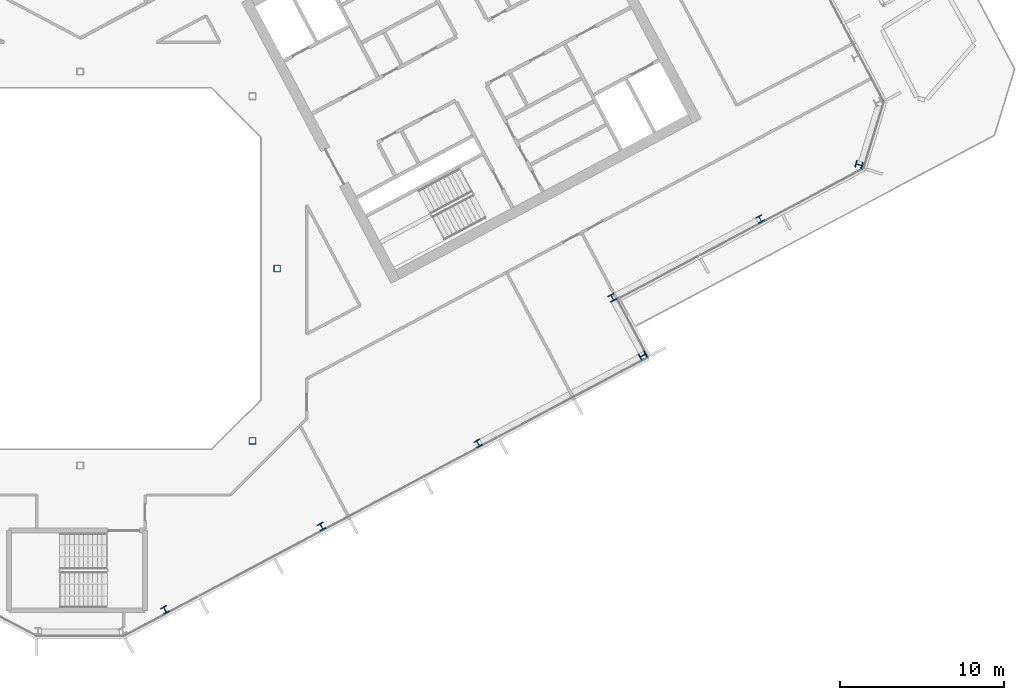
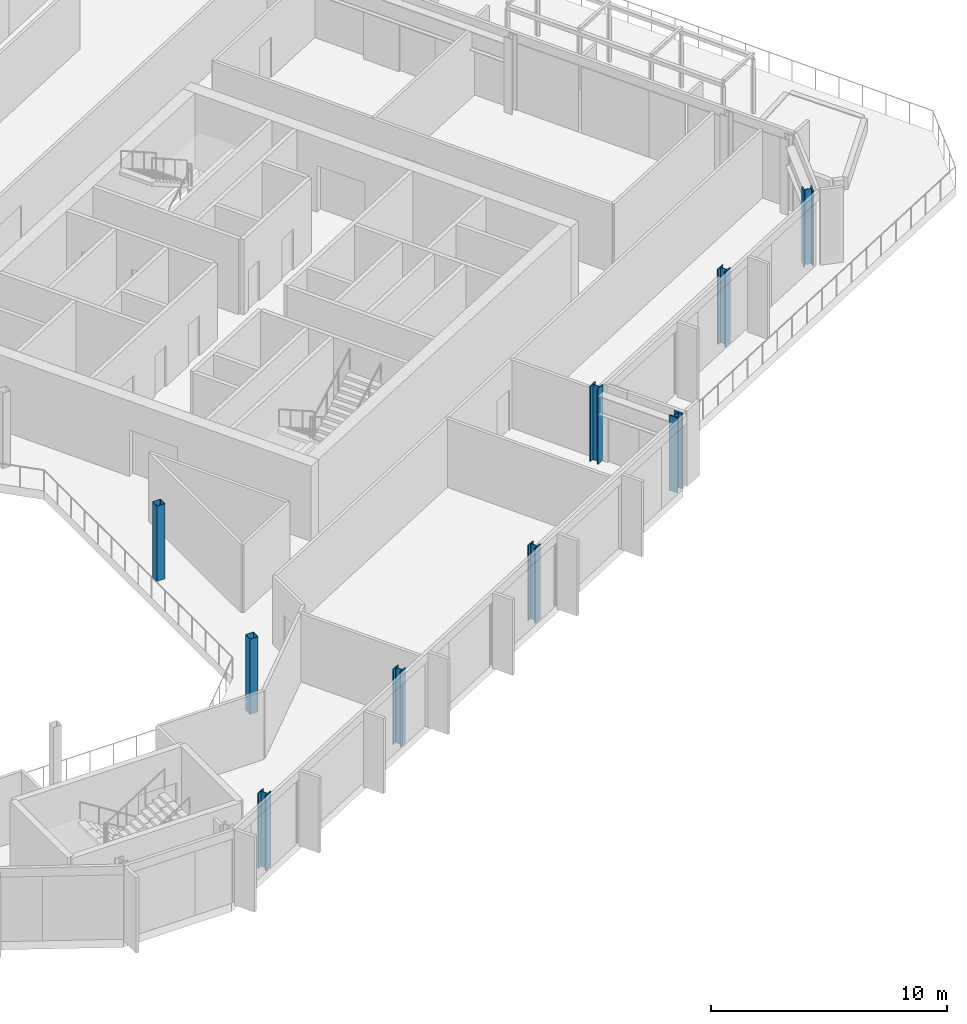
# One storey, part 5 of 31: 9 columns.
"""IFC4 building model written with IfcOpenShell, lengths in metres."""

from ifc_helpers import new_model, si_unit, direction, frame, origin, origin_2d, place, context, subcontext, project, spatial, hollow_rectangle, i_section, extrude, material, material_profile, profile_set, type_object, element, save


model = new_model("IFC4")

# Units and contexts
model_context = context("Model", 3, precision=1e-05, world=origin(), true_north=direction((0.0, 1.0)))
body_context = subcontext(model_context, "Body", "Model", "MODEL_VIEW")
ifc_project = project(units=[si_unit("LENGTHUNIT", "METRE"), si_unit("AREAUNIT", "SQUARE_METRE"), si_unit("VOLUMEUNIT", "CUBIC_METRE"), si_unit("PLANEANGLEUNIT", "RADIAN"), si_unit("MASSUNIT", "GRAM", prefix="KILO")], contexts=[model_context])

# Site, building, storey
site_placement = place(None, origin())
site = spatial("IfcSite", under=ifc_project, at=site_placement, CompositionType="ELEMENT")
building_placement = place(site_placement, origin())
building = spatial("IfcBuilding", under=site, at=building_placement, Name="Cormorant Relay Tower", CompositionType="ELEMENT")
storey_placement = place(building_placement, frame((0.0, 0.0, 189.60009765625)))
storey = spatial("IfcBuildingStorey", under=building, at=storey_placement, Name="L40", CompositionType="ELEMENT", Elevation=189.60009765625)

# Columns
ifc_material_1 = material(Name="Steel ASTM A500 Grade C (Fy 345 MPa)", Category="steel")
ifc_material_profile_1 = material_profile(ifc_material_1, hollow_rectangle(XDim=0.406494140625, YDim=0.406494140625, WallThickness=0.0146484375, InnerFilletRadius=0.00732421875, OuterFilletRadius=0.022216796875, at=origin_2d()), Name="HSS406x406x15")
ifc_profile_set_1 = profile_set([ifc_material_profile_1], Name="Steel ASTM A500 Grade C (Fy 345 MPa)")
column_type_1 = type_object("IfcColumnType", Name="Column HSS406x406x15", PredefinedType="COLUMN", material=ifc_profile_set_1)
for number, where, z_axis, x_axis, name in (
    (1, (10.5, -10.5, 0.0), (0.0, 0.0, 1.0), (1.0, 0.0, 0.0), "Column L40-010"),
    (2, (12.0, 0.0, 0.0), (0.0, 0.0, 1.0), (1.0, 0.0, 0.0), "Column L40-016"),
):
    element("IfcColumn", number, at=place(storey_placement, frame(where, z_axis=z_axis, x_axis=x_axis)), inside=storey, type_object=column_type_1, Name=name, PredefinedType="COLUMN", context=body_context, shape_type="SweptSolid", body=[
        extrude(hollow_rectangle(XDim=0.406494140625, YDim=0.406494140625, WallThickness=0.0146484375, InnerFilletRadius=0.00732421875, OuterFilletRadius=0.022216796875, at=origin_2d()), origin(), (0.0, 0.0, 1.0), 3.89990234375),
    ])
ifc_material_2 = material(Name="Steel ASTM A992 (Fy 345 MPa)", Category="steel")
ifc_material_profile_2 = material_profile(ifc_material_2, i_section(OverallWidth=0.40380859375, OverallDepth=0.406494140625, WebThickness=0.027099609375, FlangeThickness=0.043701171875, FilletRadius=0.01513671875, at=origin_2d()), Name="W360x347")
ifc_profile_set_2 = profile_set([ifc_material_profile_2], Name="Steel ASTM A992 (Fy 345 MPa)")
column_type_2 = type_object("IfcColumnType", Name="Column W360x347", PredefinedType="COLUMN", material=ifc_profile_set_2)
for number, where, z_axis, x_axis, name in (
    (3, (5.1689453125, -20.798095703125, 0.0), (0.0, 0.0, 1.0), (0.882947592859, 0.469471562786, 0.0), "Column L40-003"),
    (4, (14.705078125, -15.72705078125, 0.0), (0.0, 0.0, 1.0), (0.882947592859, 0.469471562786, 0.0), "Column L40-005"),
    (5, (24.240966796875, -10.656982421875, 0.0), (0.0, 0.0, 1.0), (0.882947592859, 0.469471562786, 0.0), "Column L40-008"),
    (6, (41.43408203125, 3.014892578125, 0.0), (0.0, 0.0, 1.0), (0.882947592859, 0.469471562786, 0.0), "Column L40-019"),
):
    element("IfcColumn", number, at=place(storey_placement, frame(where, z_axis=z_axis, x_axis=x_axis)), inside=storey, type_object=column_type_2, Name=name, PredefinedType="COLUMN", context=body_context, shape_type="SweptSolid", body=[
        extrude(i_section(OverallWidth=0.40380859375, OverallDepth=0.406494140625, WebThickness=0.027099609375, FlangeThickness=0.043701171875, FilletRadius=0.01513671875, at=origin_2d()), origin(), (0.0, 0.0, 1.0), 3.89990234375),
    ])
ifc_material_3 = material(Name="Steel ASTM A992 (Fy 345 MPa)", Category="steel")
ifc_material_profile_3 = material_profile(ifc_material_3, i_section(OverallWidth=0.41162109375, OverallDepth=0.434326171875, WebThickness=0.035888671875, FlangeThickness=0.057373046875, FilletRadius=0.01513671875, at=origin_2d()), Name="W360x463")
ifc_profile_set_3 = profile_set([ifc_material_profile_3], Name="Steel ASTM A992 (Fy 345 MPa)")
column_type_3 = type_object("IfcColumnType", Name="Column W360x463", PredefinedType="COLUMN", material=ifc_profile_set_3)
for number, where, z_axis, x_axis, name in (
    (7, (34.284912109375, -5.305908203125, 0.0), (0.0, 0.0, 1.0), (-0.469471562786, 0.882947592859, 0.0), "Column L40-012"),
    (8, (32.4169921875, -1.777099609375, 0.0), (0.0, 0.0, 1.0), (0.882947592859, 0.469471562786, 0.0), "Column L40-014"),
    (9, (47.458984375, 6.325927734375, 0.0), (0.0, 0.0, 1.0), (0.292371704723, 0.956304755963, 0.0), "Column L40-020"),
):
    element("IfcColumn", number, at=place(storey_placement, frame(where, z_axis=z_axis, x_axis=x_axis)), inside=storey, type_object=column_type_3, Name=name, PredefinedType="COLUMN", context=body_context, shape_type="SweptSolid", body=[
        extrude(i_section(OverallWidth=0.41162109375, OverallDepth=0.434326171875, WebThickness=0.035888671875, FlangeThickness=0.057373046875, FilletRadius=0.01513671875, at=origin_2d()), origin(), (0.0, 0.0, 1.0), 3.89990234375),
    ])

save(model, "model.ifc")
